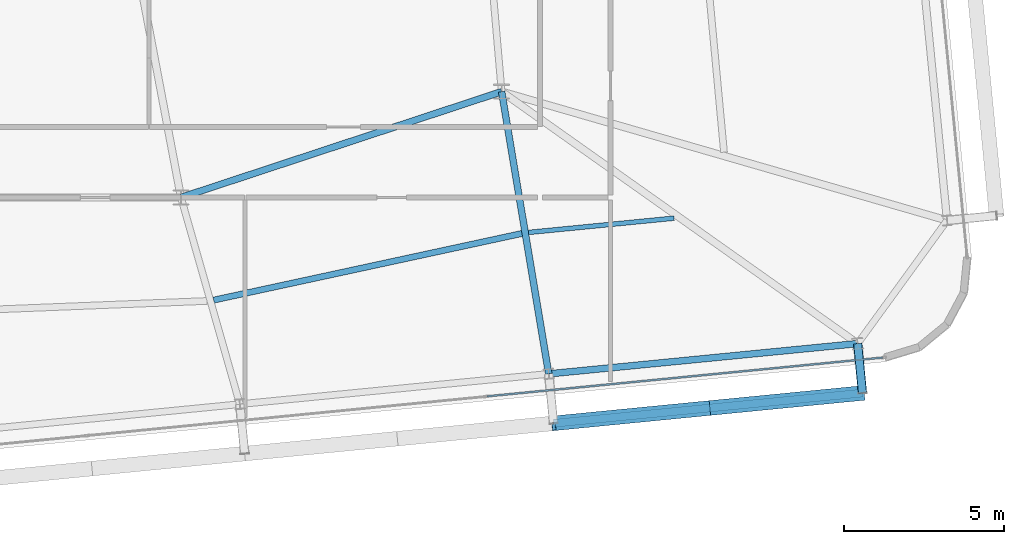
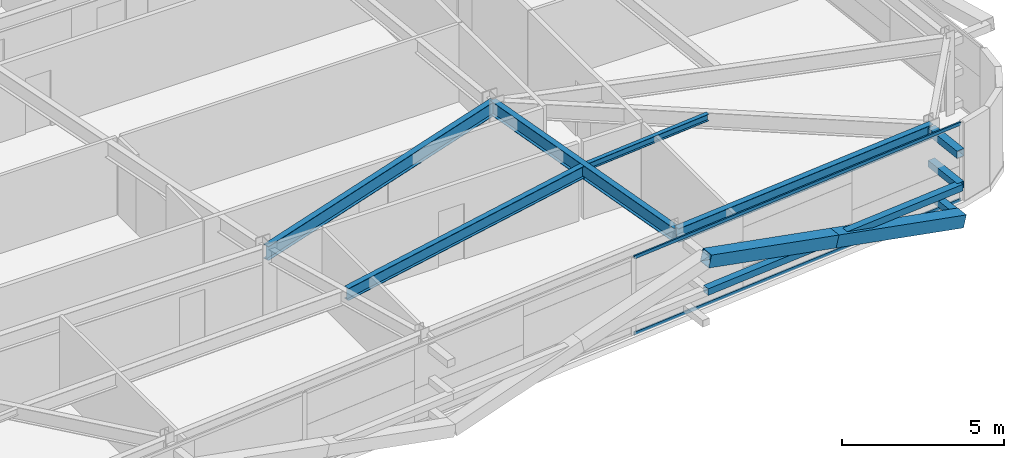
# One storey, part 16 of 47: 8 members, 5 beams, 1 element without a shape of its own.
"""IFC4 building model written with IfcOpenShell, lengths in metres."""

from ifc_helpers import new_model, si_unit, direction, frame, origin, origin_2d, place, context, subcontext, project, spatial, hollow_rectangle, i_section, extrude, source, transform, mapped, material, layer, layer_set, material_profile, profile_set, type_object, element, aggregate, save


model = new_model("IFC4")

# Units and contexts
model_context = context("Model", 3, precision=1e-05, world=origin(), true_north=direction((0.0, 1.0)))
body_context = subcontext(model_context, "Body", "Model", "MODEL_VIEW")
ifc_project = project(units=[si_unit("LENGTHUNIT", "METRE"), si_unit("AREAUNIT", "SQUARE_METRE"), si_unit("VOLUMEUNIT", "CUBIC_METRE"), si_unit("PLANEANGLEUNIT", "RADIAN"), si_unit("MASSUNIT", "GRAM", prefix="KILO")], contexts=[model_context])

# Site, building, storey
site_placement = place(None, origin())
site = spatial("IfcSite", under=ifc_project, at=site_placement, CompositionType="ELEMENT")
building_placement = place(site_placement, origin())
building = spatial("IfcBuilding", under=site, at=building_placement, Name="Taldren Reach Tower", CompositionType="ELEMENT")
storey_placement = place(building_placement, frame((0.0, 0.0, 90.300048828125)))
storey = spatial("IfcBuildingStorey", under=building, at=storey_placement, Name="L27", CompositionType="ELEMENT", Elevation=90.300048828125)

# Beam
ifc_material_1 = material(Name="Steel Gr 350 (350PLUS)", Category="steel")
ifc_material_profile_1 = material_profile(ifc_material_1, i_section(OverallWidth=0.208984375, OverallDepth=0.532958984375, WebThickness=0.01025390625, FlangeThickness=0.015625, at=origin_2d()), Name="530UB92.4")
ifc_profile_set_1 = profile_set([ifc_material_profile_1], Name="Steel Gr 350 (350PLUS)")
beam_type_1 = type_object("IfcBeamType", Name="BM-UB530A", PredefinedType="BEAM", material=ifc_profile_set_1)
shared_shape_1 = source(origin(), body_context, "Body", "SweptSolid", [
    extrude(i_section(OverallWidth=0.208984375, OverallDepth=0.532958984375, WebThickness=0.01025390625, FlangeThickness=0.015625, at=origin_2d()), origin(), (0.0, 0.0, 1.0), 10.530517578125),
])
beam_1_placement = place(storey_placement, frame((42.0, 9.199951171875, 2.663330078125), z_axis=(0.949627269203, 0.313381635689, 0.0), x_axis=(-0.313381635689, 0.949627269203, 0.0)))
element("IfcBeam", 1, at=beam_1_placement, inside=storey, type_object=beam_type_1, Name="Core-spine girder L27-SP12", PredefinedType="BEAM", context=body_context, shape_type="MappedRepresentation", body=[
    mapped(shared_shape_1, transform((0.0, 0.0, 0.0), scale=1.0)),
])

# Members
ifc_material_2 = material(Name="Steel Gr 450 (C450L0)", Category="steel")
ifc_material_profile_2 = material_profile(ifc_material_2, hollow_rectangle(XDim=0.27490234375, YDim=0.27490234375, WallThickness=0.00927734375, at=origin_2d()), Name="275x275x9.3SHS")
ifc_profile_set_2 = profile_set([ifc_material_profile_2], Name="Steel Gr 450 (C450L0)")
member_type_1 = type_object("IfcMemberType", Name="MB-TIE273", PredefinedType="STRUT", material=ifc_profile_set_2)
shared_shape_2 = source(origin(), body_context, "Body", "SweptSolid", [
    extrude(hollow_rectangle(XDim=0.27490234375, YDim=0.27490234375, WallThickness=0.00927734375, at=origin_2d()), origin(), (0.0, 0.0, 1.0), 1.5498046875),
])
member_1_placement = place(storey_placement, frame((63.103271484375, 4.64306640625, 2.64990234375), z_axis=(0.097507178627, -0.995234821595, 0.0), x_axis=(0.995234821595, 0.097507178627, 0.0)))
element("IfcMember", 2, at=member_1_placement, inside=storey, type_object=member_type_1, Name="Exoskeleton diaphragm tie strut B2-S6 L27", PredefinedType="STRUT", context=body_context, shape_type="MappedRepresentation", body=[
    mapped(shared_shape_2, transform((0.0, 0.0, 0.0), scale=1.0)),
])
ifc_material_3 = material(Name="Steel Gr 350 (C350L0)", Category="steel")
ifc_material_profile_3 = material_profile(ifc_material_3, hollow_rectangle(XDim=0.25, YDim=0.25, WallThickness=0.010009765625, at=origin_2d()), Name="250x250x10.0SHS")
ifc_profile_set_3 = profile_set([ifc_material_profile_3], Name="Steel Gr 350 (C350L0)")
member_type_2 = type_object("IfcMemberType", Name="MB-POST250", PredefinedType="POST", material=ifc_profile_set_3)
shared_shape_3 = source(origin(), body_context, "Body", "SweptSolid", [
    extrude(hollow_rectangle(XDim=0.25, YDim=0.25, WallThickness=0.010009765625, at=origin_2d()), origin(), (0.0, 0.0, 1.0), 1.5498046875),
])
for number, where, z_axis, x_axis, name in (
    (3, (63.103271484375, 4.64306640625, 0.219970703125), (0.097507178627, -0.995234821595, 0.0), (0.995234821595, 0.097507178627, 0.0), "Exoskeleton base diaphragm tie strut B2-S6 L27"),
    (4, (63.103271484375, 4.64306640625, 1.43505859375), (0.097507178627, -0.995234821595, 0.0), (0.995234821595, 0.097507178627, 0.0), "Exoskeleton mid-tier diaphragm tie B2-S6 L27"),
):
    element("IfcMember", number, at=place(storey_placement, frame(where, z_axis=z_axis, x_axis=x_axis)), inside=storey, type_object=member_type_2, Name=name, PredefinedType="POST", context=body_context, shape_type="MappedRepresentation", body=[
        mapped(shared_shape_3, transform((0.0, 0.0, 0.0), scale=1.0)),
    ])

# Beams
ifc_material_profile_4 = material_profile(ifc_material_1, i_section(OverallWidth=0.208984375, OverallDepth=0.528076171875, WebThickness=0.009521484375, FlangeThickness=0.01318359375, at=origin_2d()), Name="530UB82.0")
ifc_profile_set_4 = profile_set([ifc_material_profile_4], Name="Steel Gr 350 (350PLUS)")
beam_type_2 = type_object("IfcBeamType", Name="SP-UB530B", PredefinedType="SPANDREL", material=ifc_profile_set_4)
shared_shape_4 = source(origin(), body_context, "Body", "SweptSolid", [
    extrude(i_section(OverallWidth=0.208984375, OverallDepth=0.528076171875, WebThickness=0.009521484375, FlangeThickness=0.01318359375, at=origin_2d()), origin(), (0.0, 0.0, 1.0), 9.679931640625),
])
beam_2_placement = place(storey_placement, frame((53.469482421875, 3.698486328125, 2.666015625), z_axis=(0.995227612658, 0.097580730699, 0.0), x_axis=(-0.097580730699, 0.995227612658, 0.0)))
element("IfcBeam", 5, at=beam_2_placement, inside=storey, type_object=beam_type_2, Name="Perimeter spandrel B2 S5-S6 L27", PredefinedType="SPANDREL", context=body_context, shape_type="MappedRepresentation", body=[
    mapped(shared_shape_4, transform((0.0, 0.0, 0.0), scale=1.0)),
])
shared_shape_5 = source(origin(), body_context, "Body", "SweptSolid", [
    extrude(i_section(OverallWidth=0.208984375, OverallDepth=0.532958984375, WebThickness=0.01025390625, FlangeThickness=0.015625, at=origin_2d()), origin(), (0.0, 0.0, 1.0), 8.92333984375),
])
beam_3_placement = place(storey_placement, frame((52.0, 12.5, 2.663330078125), z_axis=(0.164678494096, -0.986347298664, 0.0), x_axis=(0.986347298664, 0.164678494096, 0.0)))
element("IfcBeam", 6, at=beam_3_placement, inside=storey, type_object=beam_type_1, Name="Primary floor girder B2-S5 L27", PredefinedType="BEAM", context=body_context, shape_type="MappedRepresentation", body=[
    mapped(shared_shape_5, transform((0.0, 0.0, 0.0), scale=1.0)),
])
ifc_material_profile_5 = material_profile(ifc_material_1, i_section(OverallWidth=0.19091796875, OverallDepth=0.4599609375, WebThickness=0.010009765625, FlangeThickness=0.01611328125, at=origin_2d()), Name="460UB82.1")
ifc_profile_set_5 = profile_set([ifc_material_profile_5], Name="Steel Gr 350 (350PLUS)")
beam_type_3 = type_object("IfcBeamType", Name="BM-UB460A", PredefinedType="BEAM", material=ifc_profile_set_5)
shared_shape_6 = source(origin(), body_context, "Body", "SweptSolid", [
    extrude(i_section(OverallWidth=0.19091796875, OverallDepth=0.4599609375, WebThickness=0.010009765625, FlangeThickness=0.01611328125, at=origin_2d()), origin(), (0.0, 0.0, 1.0), 9.83447265625),
])
beam_4_placement = place(storey_placement, frame((43.02001953125, 5.9990234375, 2.699951171875), z_axis=(0.977418600156, 0.211312280924, 0.0), x_axis=(-0.211312280924, 0.977418600156, 0.0)))
element("IfcBeam", 7, at=beam_4_placement, inside=storey, type_object=beam_type_3, Name="Secondary floor beam B2 J4 L27", PredefinedType="BEAM", context=body_context, shape_type="MappedRepresentation", body=[
    mapped(shared_shape_6, transform((0.0, 0.0, 0.0), scale=1.0)),
])
ifc_material_4 = material(Name="Steel Gr 300 (300PLUS, 300 MPa)", Category="steel")
ifc_material_profile_6 = material_profile(ifc_material_4, i_section(OverallWidth=0.14599609375, OverallDepth=0.256103515625, WebThickness=0.00634765625, FlangeThickness=0.010986328125, at=origin_2d()), Name="250UB37.3")
ifc_profile_set_6 = profile_set([ifc_material_profile_6], Name="Steel Gr 300 (300PLUS, 300 MPa)")
beam_type_4 = type_object("IfcBeamType", Name="JS-UB250", PredefinedType="JOIST", material=ifc_profile_set_6)
shared_shape_7 = source(origin(), body_context, "Body", "SweptSolid", [
    extrude(i_section(OverallWidth=0.14599609375, OverallDepth=0.256103515625, WebThickness=0.00634765625, FlangeThickness=0.010986328125, at=origin_2d()), origin(), (0.0, 0.0, 1.0), 4.56103515625),
])
beam_5_placement = place(storey_placement, frame((52.8388671875, 8.109375, 2.802001953125), z_axis=(0.995227709746, 0.097579740487, 0.0), x_axis=(-0.097579740487, 0.995227709746, 0.0)))
element("IfcBeam", 8, at=beam_5_placement, inside=storey, type_object=beam_type_4, Name="Secondary floor joist B2 J5 L27", PredefinedType="JOIST", context=body_context, shape_type="MappedRepresentation", body=[
    mapped(shared_shape_7, transform((0.0, 0.0, 0.0), scale=1.0)),
])

# Members
ifc_material_profile_7 = material_profile(ifc_material_2, hollow_rectangle(XDim=0.4599609375, YDim=0.4599609375, WallThickness=0.01611328125, at=origin_2d()), Name="460x460x16.0SHS")
ifc_profile_set_7 = profile_set([ifc_material_profile_7], Name="Steel Gr 450 (C450L0)")
member_type_3 = type_object("IfcMemberType", Name="MB-EXO457", PredefinedType="BRACE", material=ifc_profile_set_7)
shared_shape_8 = source(origin(), body_context, "Body", "SweptSolid", [
    extrude(hollow_rectangle(XDim=0.4599609375, YDim=0.4599609375, WallThickness=0.01611328125, at=origin_2d()), origin(), (0.0, 0.0, 1.0), 4.990234375),
])
for number, where, z_axis, x_axis, name in (
    (9, (63.25439453125, 3.1005859375, 0.219970703125), (-0.965271056716, -0.094667992638, 0.243494883389), (0.097605711627, -0.995225162995, 0.0), "Exoskeleton Diagrid Brace B2-S5 L27"),
    (10, (58.4375, 2.628173828125, 1.43505859375), (-0.965287024526, -0.094620633828, 0.24344998652), (0.097555749586, -0.995230061706, 0.0), "Exoskeleton Diagrid Brace B2-S5 L27"),
):
    element("IfcMember", number, at=place(storey_placement, frame(where, z_axis=z_axis, x_axis=x_axis)), inside=storey, type_object=member_type_3, Name=name, PredefinedType="BRACE", context=body_context, shape_type="MappedRepresentation", body=[
        mapped(shared_shape_8, transform((0.0, 0.0, 0.0), scale=1.0)),
    ])
shared_shape_9 = source(origin(), body_context, "Body", "SweptSolid", [
    extrude(hollow_rectangle(XDim=0.25, YDim=0.25, WallThickness=0.010009765625, at=origin_2d()), origin(), (0.0, 0.0, 1.0), 9.679931640625),
])
member_2_placement = place(storey_placement, frame((53.62060546875, 2.156005859375, 1.43505859375), z_axis=(0.995227612658, 0.097580730699, 0.0), x_axis=(-0.097580730699, 0.995227612658, 0.0)))
element("IfcMember", 11, at=member_2_placement, inside=storey, type_object=member_type_2, Name="Exoskeleton mid-height ring chord B2-S5 L27", PredefinedType="POST", context=body_context, shape_type="MappedRepresentation", body=[
    mapped(shared_shape_9, transform((0.0, 0.0, 0.0), scale=1.0)),
])

# Curtain wall, members
ifc_material_5 = material(Name="Aluminium and Low-E Glass Unitised System", Category="aluminium")
ifc_layer = layer(ifc_material_5, 0.159912109375)
ifc_layer_set = layer_set([ifc_layer], Name="Aluminium and Low-E Glass Unitised System")
curtain_wall_type = type_object("IfcCurtainWallType", Name="CW-SYS-3", PredefinedType="NOTDEFINED", material=ifc_layer_set)
curtain_wall_placement = place(storey_placement, origin())
curtain_wall = element("IfcCurtainWall", 12, at=curtain_wall_placement, inside=storey, type_object=curtain_wall_type, Name="Unitised curtain wall CW-L27-S", PredefinedType="NOTDEFINED")
ifc_material_6 = material(Name="Anodised Aluminium 6063-T6", Category="aluminium")
ifc_material_profile_8 = material_profile(ifc_material_6, hollow_rectangle(XDim=0.054931640625, YDim=0.1201171875, WallThickness=0.0029296875, at=origin_2d()), Name="ALU-120x55x3RHS")
ifc_profile_set_8 = profile_set([ifc_material_profile_8], Name="Anodised Aluminium 6063-T6")
member_type_4 = type_object("IfcMemberType", Name="CW-TRN-135", PredefinedType="USERDEFINED", material=ifc_profile_set_8)
shared_shape_10 = source(origin(), body_context, "Body", "SweptSolid", [
    extrude(hollow_rectangle(XDim=0.054931640625, YDim=0.1201171875, WallThickness=0.0029296875, at=origin_2d()), origin(), (0.0, 0.0, 1.0), 12.402587890625),
])
member_3_placement = place(storey_placement, frame((51.541015625, 2.9970703125, 0.02734375), z_axis=(0.99522807535, 0.097576011581, 0.0), x_axis=(-0.097576011581, 0.99522807535, 0.0)))
member_3 = element("IfcMember", 13, at=member_3_placement, type_object=member_type_4, Name="CW-3 transom 4.1", ObjectType="TRANSOM", PredefinedType="USERDEFINED", context=body_context, shape_type="MappedRepresentation", body=[
    mapped(shared_shape_10, transform((0.0, 0.0, 0.0), scale=1.0)),
])
member_4_placement = place(storey_placement, frame((51.541015625, 2.9970703125, 2.90234375), z_axis=(0.99522807535, 0.097576011581, 0.0), x_axis=(-0.097576011581, 0.99522807535, 0.0)))
member_4 = element("IfcMember", 14, at=member_4_placement, type_object=member_type_4, Name="CW-3 transom 4.2", ObjectType="TRANSOM", PredefinedType="USERDEFINED", context=body_context, shape_type="MappedRepresentation", body=[
    mapped(shared_shape_10, transform((0.0, 0.0, 0.0), scale=1.0)),
])
aggregate(curtain_wall, [member_3, member_4])

save(model, "model.ifc")
